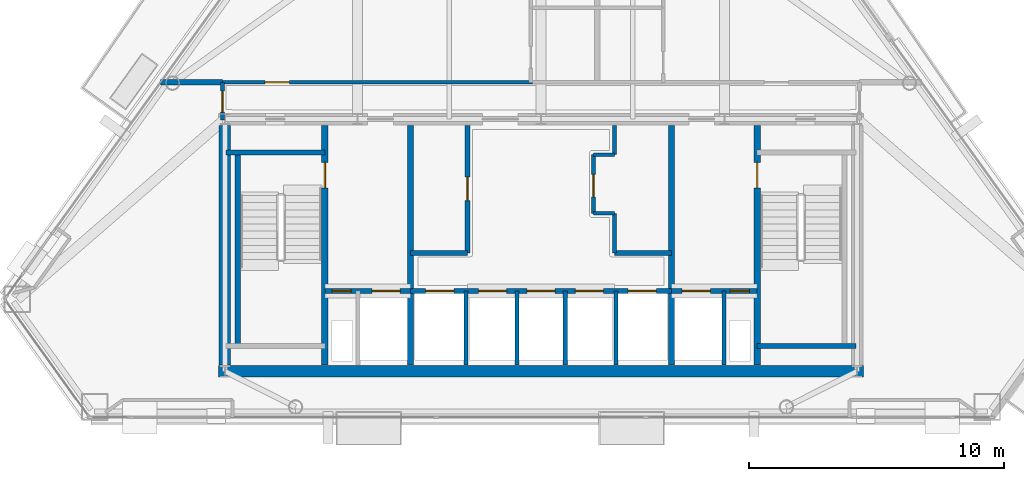
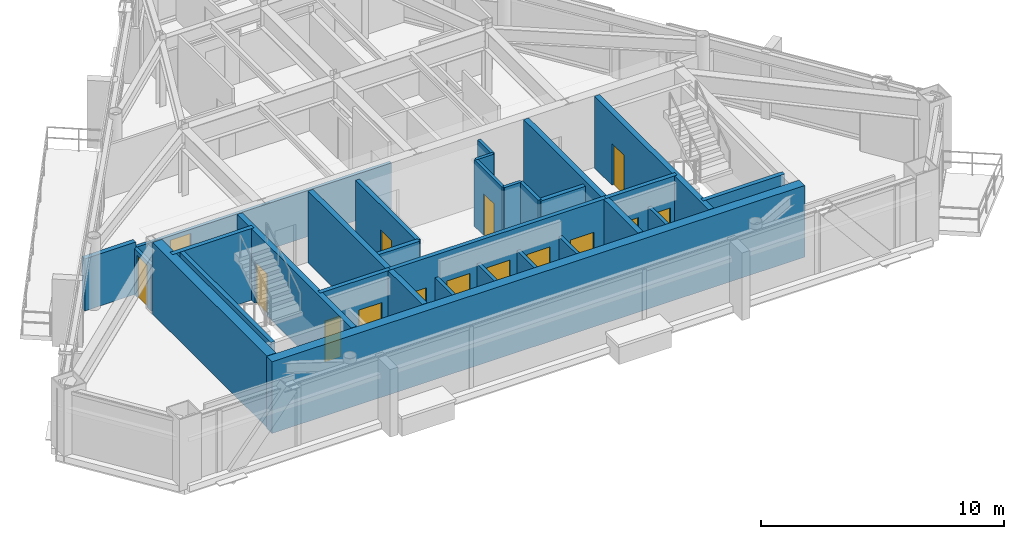
# One storey, part 7 of 11: 28 walls, 15 doors, 15 openings.
"""IFC4 building model written with IfcOpenShell, lengths in metres."""

from ifc_helpers import new_model, si_unit, direction, frame, frame_2d, origin, place, context, subcontext, project, spatial, rectangle, extrude, material, layer, layer_set, type_object, element, fill, save


model = new_model("IFC4")

# Units and contexts
model_context = context("Model", 3, precision=1e-05, world=origin(), true_north=direction((0.0, 1.0)))
body_context = subcontext(model_context, "Body", "Model", "MODEL_VIEW")
ifc_project = project(units=[si_unit("LENGTHUNIT", "METRE"), si_unit("AREAUNIT", "SQUARE_METRE"), si_unit("VOLUMEUNIT", "CUBIC_METRE"), si_unit("PLANEANGLEUNIT", "RADIAN"), si_unit("MASSUNIT", "GRAM", prefix="KILO")], contexts=[model_context])

# Site, building, storey
site_placement = place(None, origin())
site = spatial("IfcSite", under=ifc_project, at=site_placement, CompositionType="ELEMENT")
building_placement = place(site_placement, origin())
building = spatial("IfcBuilding", under=site, at=building_placement, Name="Talgorran Terracotta Tower", CompositionType="ELEMENT")
storey_placement = place(building_placement, frame((0.0, 0.0, 207.300048828125)))
storey = spatial("IfcBuildingStorey", under=building, at=storey_placement, Name="L54", CompositionType="ELEMENT", Elevation=207.300048828125)

# Walls
ifc_material_1 = material(Name="Concrete C50/60", Category="concrete")
ifc_layer_1 = layer(ifc_material_1, 0.199951171875, Name="WT_CORE_200")
ifc_layer_set_1 = layer_set([ifc_layer_1], Name="Concrete C50/60")
wall_type_1 = type_object("IfcWallType", Name="WT_CORE_200", PredefinedType="SOLIDWALL", material=ifc_layer_set_1)
wall_1_placement = place(storey_placement, frame((-12.35009765625, -5.52001953125, 0.0), z_axis=(0.0, 0.0, 1.0), x_axis=(1.0, 0.0, 0.0)))
element("IfcWall", 1, at=wall_1_placement, inside=storey, type_object=wall_type_1, Name="WL-L54-CW-ST1-N", PredefinedType="SOLIDWALL", context=body_context, shape_type="SweptSolid", body=[
    extrude(rectangle(XDim=3.8701171875, YDim=0.199951171875, at=frame_2d((1.93505859375, 0.0))), origin(), (0.0, 0.0, 1.0), 3.599853515625),
])
wall_2_placement = place(storey_placement, frame((-11.89990234375, -13.10009765625, 0.0), z_axis=(0.0, 0.0, 1.0), x_axis=(0.0, 1.0, 0.0)))
element("IfcWall", 2, at=wall_2_placement, inside=storey, type_object=wall_type_1, Name="WL-L54-CW-ST1-W", PredefinedType="SOLIDWALL", context=body_context, shape_type="SweptSolid", body=[
    extrude(rectangle(XDim=7.580078125, YDim=0.199951171875, at=frame_2d((3.7900390625, 0.0))), origin(), (0.0, 0.0, 1.0), 3.599853515625),
])
wall_3_placement = place(storey_placement, frame((8.47998046875, -13.10009765625, 0.0), z_axis=(0.0, 0.0, 1.0), x_axis=(1.0, 0.0, 0.0)))
element("IfcWall", 3, at=wall_3_placement, inside=storey, type_object=wall_type_1, Name="WL-L54-CW-ST2-S", PredefinedType="SOLIDWALL", context=body_context, shape_type="SweptSolid", body=[
    extrude(rectangle(XDim=3.8701171875, YDim=0.199951171875, at=frame_2d((1.93505859375, 0.0))), origin(), (0.0, 0.0, 1.0), 3.599853515625),
])

# Wall, openings, doors
wall_4_placement = place(storey_placement, frame((-8.47998046875, -10.949951171875, 0.0), z_axis=(0.0, 0.0, 1.0), x_axis=(1.0, 0.0, 0.0)))
wall_4 = element("IfcWall", 4, at=wall_4_placement, inside=storey, type_object=wall_type_1, Name="WL-L54-CW-H-SBW", PredefinedType="SOLIDWALL", context=body_context, shape_type="SweptSolid", body=[
    extrude(rectangle(XDim=3.35986328125, YDim=0.199951171875, at=frame_2d((1.679931640625, 0.0))), origin(), (0.0, 0.0, 1.0), 3.599853515625),
])
opening_1_placement = place(wall_4_placement, frame((0.280029296875, 0.0, 0.0)))
opening_1 = element("IfcOpeningElement", 5, at=opening_1_placement, cuts=wall_4, Name="Opening DR-RSW", PredefinedType="OPENING", context=body_context, shape_type="SweptSolid", body=[
    extrude(rectangle(XDim=0.756, YDim=2.054048828125, at=frame_2d((0.375, 1.027099609375))), frame((0.0, 0.10986328125, 0.0), z_axis=(0.0, -1.0, 0.0), x_axis=(1.0, 0.0, 0.0)), (0.0, 0.0, 1.0), 0.219970703125),
])
opening_2_placement = place(wall_4_placement, frame((1.85009765625, 0.0, 0.0)))
opening_2 = element("IfcOpeningElement", 6, at=opening_2_placement, cuts=wall_4, Name="Opening LD-FFL1", PredefinedType="OPENING", context=body_context, shape_type="SweptSolid", body=[
    extrude(rectangle(XDim=1.10609765625, YDim=2.10409765625, at=frame_2d((0.550048828125, 1.052001953125))), frame((0.0, 0.10986328125, 0.0), z_axis=(0.0, -1.0, 0.0), x_axis=(1.0, 0.0, 0.0)), (0.0, 0.0, 1.0), 0.219970703125),
])
ifc_material_2 = material(Name="Brushed Stainless Steel Grade 304", Category="steel")
door_type_1 = type_object("IfcDoorType", Name="DT_LIFT_LD1100", OperationType="DOUBLE_DOOR_SLIDING", PredefinedType="DOOR", material=ifc_material_2)
door_1_placement = place(opening_2_placement, origin())
door_1 = element("IfcDoor", 7, at=door_1_placement, inside=storey, type_object=door_type_1, Name="L54 Lift Landing Door LD-FFL1", OperationType="DOUBLE_DOOR_SLIDING", OverallHeight=2.10009765625, OverallWidth=1.10009765625, PredefinedType="DOOR", context=body_context, shape_type="SweptSolid", body=[
    extrude(rectangle(XDim=1.10009765625, YDim=2.10009765625, at=frame_2d((0.550048828125, 1.050048828125))), frame((0.0, 0.02490234375, 0.0), z_axis=(0.0, -1.0, 0.0), x_axis=(1.0, 0.0, 0.0)), (0.0, 0.0, 1.0), 0.050048828125),
])
fill(opening_2, door_1)
ifc_material_3 = material(Name="Fire-Rated Pressed Steel", Category="steel")
door_type_2 = type_object("IfcDoorType", Name="DT_RISER_750", OperationType="NOTDEFINED", PredefinedType="DOOR", material=ifc_material_3)
door_2_placement = place(opening_1_placement, origin())
door_2 = element("IfcDoor", 8, at=door_2_placement, inside=storey, type_object=door_type_2, Name="DR-RSW", OperationType="SINGLE_SWING_LEFT", OverallHeight=2.050048828125, OverallWidth=0.75, PredefinedType="DOOR", context=body_context, shape_type="SweptSolid", body=[
    extrude(rectangle(XDim=0.75, YDim=2.050048828125, at=frame_2d((0.375, 1.02490234375))), frame((0.0, 0.02490234375, 0.0), z_axis=(0.0, -1.0, 0.0), x_axis=(1.0, 0.0, 0.0)), (0.0, 0.0, 1.0), 0.050048828125),
])
fill(opening_1, door_2)

wall_5_placement = place(storey_placement, frame((-5.1201171875, -10.949951171875, 0.0), z_axis=(0.0, 0.0, 1.0), x_axis=(1.0, 0.0, 0.0)))
wall_5 = element("IfcWall", 9, at=wall_5_placement, inside=storey, type_object=wall_type_1, Name="WL-L54-CW-H-SBC", PredefinedType="SOLIDWALL", context=body_context, shape_type="SweptSolid", body=[
    extrude(rectangle(XDim=10.240234375, YDim=0.199951171875, at=frame_2d((5.1201171875, 0.0))), origin(), (0.0, 0.0, 1.0), 3.599853515625),
])
opening_3_placement = place(wall_5_placement, frame((0.60009765625, 0.0, 0.0)))
opening_3 = element("IfcOpeningElement", 10, at=opening_3_placement, cuts=wall_5, Name="Opening LD-OB1", PredefinedType="OPENING", context=body_context, shape_type="SweptSolid", body=[
    extrude(rectangle(XDim=1.10609765625, YDim=2.10409765625, at=frame_2d((0.550048828125, 1.052001953125))), frame((0.0, 0.10986328125, 0.0), z_axis=(0.0, -1.0, 0.0), x_axis=(1.0, 0.0, 0.0)), (0.0, 0.0, 1.0), 0.219970703125),
])
opening_4_placement = place(wall_5_placement, frame((2.669921875, 0.0, 0.0)))
opening_4 = element("IfcOpeningElement", 11, at=opening_4_placement, cuts=wall_5, Name="Opening LD-PLH1", PredefinedType="OPENING", context=body_context, shape_type="SweptSolid", body=[
    extrude(rectangle(XDim=1.10609765625, YDim=2.10409765625, at=frame_2d((0.550048828125, 1.052001953125))), frame((0.0, 0.10986328125, 0.0), z_axis=(0.0, -1.0, 0.0), x_axis=(1.0, 0.0, 0.0)), (0.0, 0.0, 1.0), 0.219970703125),
])
opening_5_placement = place(wall_5_placement, frame((4.570068359375, 0.0, 0.0)))
opening_5 = element("IfcOpeningElement", 12, at=opening_5_placement, cuts=wall_5, Name="Opening LD-PLH2", PredefinedType="OPENING", context=body_context, shape_type="SweptSolid", body=[
    extrude(rectangle(XDim=1.10609765625, YDim=2.10409765625, at=frame_2d((0.550048828125, 1.052001953125))), frame((0.0, 0.10986328125, 0.0), z_axis=(0.0, -1.0, 0.0), x_axis=(1.0, 0.0, 0.0)), (0.0, 0.0, 1.0), 0.219970703125),
])
opening_6_placement = place(wall_5_placement, frame((6.469970703125, 0.0, 0.0)))
opening_6 = element("IfcOpeningElement", 13, at=opening_6_placement, cuts=wall_5, Name="Opening LD-PLH3", PredefinedType="OPENING", context=body_context, shape_type="SweptSolid", body=[
    extrude(rectangle(XDim=1.10609765625, YDim=2.10409765625, at=frame_2d((0.550048828125, 1.052001953125))), frame((0.0, 0.10986328125, 0.0), z_axis=(0.0, -1.0, 0.0), x_axis=(1.0, 0.0, 0.0)), (0.0, 0.0, 1.0), 0.219970703125),
])
opening_7_placement = place(wall_5_placement, frame((8.5400390625, 0.0, 0.0)))
opening_7 = element("IfcOpeningElement", 14, at=opening_7_placement, cuts=wall_5, Name="Opening LD-SVL1", PredefinedType="OPENING", context=body_context, shape_type="SweptSolid", body=[
    extrude(rectangle(XDim=1.10609765625, YDim=2.10409765625, at=frame_2d((0.550048828125, 1.052001953125))), frame((0.0, 0.10986328125, 0.0), z_axis=(0.0, -1.0, 0.0), x_axis=(1.0, 0.0, 0.0)), (0.0, 0.0, 1.0), 0.219970703125),
])
door_3_placement = place(opening_3_placement, origin())
door_3 = element("IfcDoor", 15, at=door_3_placement, inside=storey, type_object=door_type_1, Name="L54 Lift Landing Door LD-OB1", OperationType="DOUBLE_DOOR_SLIDING", OverallHeight=2.10009765625, OverallWidth=1.10009765625, PredefinedType="DOOR", context=body_context, shape_type="SweptSolid", body=[
    extrude(rectangle(XDim=1.10009765625, YDim=2.10009765625, at=frame_2d((0.550048828125, 1.050048828125))), frame((0.0, 0.02490234375, 0.0), z_axis=(0.0, -1.0, 0.0), x_axis=(1.0, 0.0, 0.0)), (0.0, 0.0, 1.0), 0.050048828125),
])
fill(opening_3, door_3)
door_4_placement = place(opening_4_placement, origin())
door_4 = element("IfcDoor", 16, at=door_4_placement, inside=storey, type_object=door_type_1, Name="L54 Lift Landing Door LD-PLH1", OperationType="DOUBLE_DOOR_SLIDING", OverallHeight=2.10009765625, OverallWidth=1.10009765625, PredefinedType="DOOR", context=body_context, shape_type="SweptSolid", body=[
    extrude(rectangle(XDim=1.10009765625, YDim=2.10009765625, at=frame_2d((0.550048828125, 1.050048828125))), frame((0.0, 0.02490234375, 0.0), z_axis=(0.0, -1.0, 0.0), x_axis=(1.0, 0.0, 0.0)), (0.0, 0.0, 1.0), 0.050048828125),
])
fill(opening_4, door_4)
door_5_placement = place(opening_5_placement, origin())
door_5 = element("IfcDoor", 17, at=door_5_placement, inside=storey, type_object=door_type_1, Name="L54 Lift Landing Door LD-PLH2", OperationType="DOUBLE_DOOR_SLIDING", OverallHeight=2.10009765625, OverallWidth=1.10009765625, PredefinedType="DOOR", context=body_context, shape_type="SweptSolid", body=[
    extrude(rectangle(XDim=1.10009765625, YDim=2.10009765625, at=frame_2d((0.550048828125, 1.050048828125))), frame((0.0, 0.02490234375, 0.0), z_axis=(0.0, -1.0, 0.0), x_axis=(1.0, 0.0, 0.0)), (0.0, 0.0, 1.0), 0.050048828125),
])
fill(opening_5, door_5)
door_6_placement = place(opening_6_placement, origin())
door_6 = element("IfcDoor", 18, at=door_6_placement, inside=storey, type_object=door_type_1, Name="L54 Lift Landing Door LD-PLH3", OperationType="DOUBLE_DOOR_SLIDING", OverallHeight=2.10009765625, OverallWidth=1.10009765625, PredefinedType="DOOR", context=body_context, shape_type="SweptSolid", body=[
    extrude(rectangle(XDim=1.10009765625, YDim=2.10009765625, at=frame_2d((0.550048828125, 1.050048828125))), frame((0.0, 0.02490234375, 0.0), z_axis=(0.0, -1.0, 0.0), x_axis=(1.0, 0.0, 0.0)), (0.0, 0.0, 1.0), 0.050048828125),
])
fill(opening_6, door_6)
door_7_placement = place(opening_7_placement, origin())
door_7 = element("IfcDoor", 19, at=door_7_placement, inside=storey, type_object=door_type_1, Name="L54 Lift Landing Door LD-SVL1", OperationType="DOUBLE_DOOR_SLIDING", OverallHeight=2.10009765625, OverallWidth=1.10009765625, PredefinedType="DOOR", context=body_context, shape_type="SweptSolid", body=[
    extrude(rectangle(XDim=1.10009765625, YDim=2.10009765625, at=frame_2d((0.550048828125, 1.050048828125))), frame((0.0, 0.02490234375, 0.0), z_axis=(0.0, -1.0, 0.0), x_axis=(1.0, 0.0, 0.0)), (0.0, 0.0, 1.0), 0.050048828125),
])
fill(opening_7, door_7)

wall_6_placement = place(storey_placement, frame((5.1201171875, -10.949951171875, 0.0), z_axis=(0.0, 0.0, 1.0), x_axis=(1.0, 0.0, 0.0)))
wall_6 = element("IfcWall", 20, at=wall_6_placement, inside=storey, type_object=wall_type_1, Name="WL-L54-CW-H-SBE", PredefinedType="SOLIDWALL", context=body_context, shape_type="SweptSolid", body=[
    extrude(rectangle(XDim=3.35986328125, YDim=0.199951171875, at=frame_2d((1.679931640625, 0.0))), origin(), (0.0, 0.0, 1.0), 3.599853515625),
])
opening_8_placement = place(wall_6_placement, frame((0.419921875, 0.0, 0.0)))
opening_8 = element("IfcOpeningElement", 21, at=opening_8_placement, cuts=wall_6, Name="Opening LD-FFL2", PredefinedType="OPENING", context=body_context, shape_type="SweptSolid", body=[
    extrude(rectangle(XDim=1.10609765625, YDim=2.10409765625, at=frame_2d((0.550048828125, 1.052001953125))), frame((0.0, 0.10986328125, 0.0), z_axis=(0.0, -1.0, 0.0), x_axis=(1.0, 0.0, 0.0)), (0.0, 0.0, 1.0), 0.219970703125),
])
opening_9_placement = place(wall_6_placement, frame((2.300048828125, 0.0, 0.0)))
opening_9 = element("IfcOpeningElement", 22, at=opening_9_placement, cuts=wall_6, Name="Opening DR-RSE", PredefinedType="OPENING", context=body_context, shape_type="SweptSolid", body=[
    extrude(rectangle(XDim=0.756, YDim=2.054048828125, at=frame_2d((0.375, 1.027099609375))), frame((0.0, 0.10986328125, 0.0), z_axis=(0.0, -1.0, 0.0), x_axis=(1.0, 0.0, 0.0)), (0.0, 0.0, 1.0), 0.219970703125),
])
door_8_placement = place(opening_8_placement, origin())
door_8 = element("IfcDoor", 23, at=door_8_placement, inside=storey, type_object=door_type_1, Name="L54 Lift Landing Door LD-FFL2", OperationType="DOUBLE_DOOR_SLIDING", OverallHeight=2.10009765625, OverallWidth=1.10009765625, PredefinedType="DOOR", context=body_context, shape_type="SweptSolid", body=[
    extrude(rectangle(XDim=1.10009765625, YDim=2.10009765625, at=frame_2d((0.550048828125, 1.050048828125))), frame((0.0, 0.02490234375, 0.0), z_axis=(0.0, -1.0, 0.0), x_axis=(1.0, 0.0, 0.0)), (0.0, 0.0, 1.0), 0.050048828125),
])
fill(opening_8, door_8)
door_9_placement = place(opening_9_placement, origin())
door_9 = element("IfcDoor", 24, at=door_9_placement, inside=storey, type_object=door_type_2, Name="DR-RSE", OperationType="SINGLE_SWING_RIGHT", OverallHeight=2.050048828125, OverallWidth=0.75, PredefinedType="DOOR", context=body_context, shape_type="SweptSolid", body=[
    extrude(rectangle(XDim=0.75, YDim=2.050048828125, at=frame_2d((0.375, 1.02490234375))), frame((0.0, 0.02490234375, 0.0), z_axis=(0.0, -1.0, 0.0), x_axis=(1.0, 0.0, 0.0)), (0.0, 0.0, 1.0), 0.050048828125),
])
fill(opening_9, door_9)

# Wall, opening, door
wall_7_placement = place(storey_placement, frame((-2.8798828125, -9.449951171875, 0.0), z_axis=(0.0, 0.0, 1.0), x_axis=(0.0, 1.0, 0.0)))
wall_7 = element("IfcWall", 25, at=wall_7_placement, inside=storey, type_object=wall_type_1, Name="WL-L54-CW-V-W3", PredefinedType="SOLIDWALL", context=body_context, shape_type="SweptSolid", body=[
    extrude(rectangle(XDim=5.0, YDim=0.199951171875, at=frame_2d((2.5, 0.0))), origin(), (0.0, 0.0, 1.0), 3.344970703125),
])
opening_10_placement = place(wall_7_placement, frame((2.050048828125, 0.0, 0.0)))
opening_10 = element("IfcOpeningElement", 26, at=opening_10_placement, cuts=wall_7, Name="Opening DR-FRPLL-A", PredefinedType="OPENING", context=body_context, shape_type="SweptSolid", body=[
    extrude(rectangle(XDim=0.925921875, YDim=2.10409765625, at=frame_2d((0.4599609375, 1.052001953125))), frame((0.0, 0.10986328125, 0.0), z_axis=(0.0, -1.0, 0.0), x_axis=(1.0, 0.0, 0.0)), (0.0, 0.0, 1.0), 0.219970703125),
])
ifc_material_4 = material(Name="Solid-Core Painted Timber", Category="wood")
door_type_3 = type_object("IfcDoorType", Name="DT_INT_920", OperationType="NOTDEFINED", PredefinedType="DOOR", material=ifc_material_4)
door_10_placement = place(opening_10_placement, origin())
door_10 = element("IfcDoor", 27, at=door_10_placement, inside=storey, type_object=door_type_3, Name="DR-FRPLL-A", OperationType="SINGLE_SWING_LEFT", OverallHeight=2.10009765625, OverallWidth=0.919921875, PredefinedType="DOOR", context=body_context, shape_type="SweptSolid", body=[
    extrude(rectangle(XDim=0.919921875, YDim=2.10009765625, at=frame_2d((0.4599609375, 1.050048828125))), frame((0.0, 0.02490234375, 0.0), z_axis=(0.0, -1.0, 0.0), x_axis=(1.0, 0.0, 0.0)), (0.0, 0.0, 1.0), 0.050048828125),
])
fill(opening_10, door_10)

# Walls
for number, where, z_axis, x_axis, name in (
    (28, (-5.1201171875, -9.449951171875, 0.0), (0.0, 0.0, 1.0), (1.0, 0.0, 0.0), "WL-L54-CW-H-W4"),
    (29, (2.8798828125, -9.449951171875, 0.0), (0.0, 0.0, 1.0), (1.0, 0.0, 0.0), "WL-L54-CW-H-E4"),
):
    element("IfcWall", number, at=place(storey_placement, frame(where, z_axis=z_axis, x_axis=x_axis)), inside=storey, type_object=wall_type_1, Name=name, PredefinedType="SOLIDWALL", context=body_context, shape_type="SweptSolid", body=[
        extrude(rectangle(XDim=2.240234375, YDim=0.199951171875, at=frame_2d((1.1201171875, 0.0))), origin(), (0.0, 0.0, 1.0), 3.344970703125),
    ])

# Wall, opening, door
ifc_layer_2 = layer(ifc_material_1, 0.25, Name="WT_CORE_250")
ifc_layer_set_2 = layer_set([ifc_layer_2], Name="Concrete C50/60")
wall_type_2 = type_object("IfcWallType", Name="WT_CORE_250", PredefinedType="SHEAR", material=ifc_layer_set_2)
wall_8_placement = place(storey_placement, frame((-8.47998046875, -13.85009765625, 0.0), z_axis=(0.0, 0.0, 1.0), x_axis=(0.0, 1.0, 0.0)))
wall_8 = element("IfcWall", 30, at=wall_8_placement, inside=storey, type_object=wall_type_2, Name="WL-L54-CW-V-W1", PredefinedType="SHEAR", context=body_context, shape_type="SweptSolid", body=[
    extrude(rectangle(XDim=9.400146484375, YDim=0.25, at=frame_2d((4.7001953125, 0.0))), origin(), (0.0, 0.0, 1.0), 3.599853515625),
])
opening_11_placement = place(wall_8_placement, frame((6.949951171875, 0.0, 0.0)))
opening_11 = element("IfcOpeningElement", 31, at=opening_11_placement, cuts=wall_8, Name="Opening DR-ST01", PredefinedType="OPENING", context=body_context, shape_type="SweptSolid", body=[
    extrude(rectangle(XDim=1.006, YDim=2.10409765625, at=frame_2d((0.5, 1.052001953125))), frame((0.0, 0.135009765625, 0.0), z_axis=(0.0, -1.0, 0.0), x_axis=(1.0, 0.0, 0.0)), (0.0, 0.0, 1.0), 0.27001953125),
])
door_type_4 = type_object("IfcDoorType", Name="DT_FIRE_1000", OperationType="NOTDEFINED", PredefinedType="DOOR", material=ifc_material_3)
door_11_placement = place(opening_11_placement, origin())
door_11 = element("IfcDoor", 32, at=door_11_placement, inside=storey, type_object=door_type_4, Name="DR-ST01", OperationType="SINGLE_SWING_LEFT", OverallHeight=2.10009765625, OverallWidth=1.0, PredefinedType="DOOR", context=body_context, shape_type="SweptSolid", body=[
    extrude(rectangle(XDim=1.0, YDim=2.10009765625, at=frame_2d((0.5, 1.050048828125))), frame((0.0, 0.02490234375, 0.0), z_axis=(0.0, -1.0, 0.0), x_axis=(1.0, 0.0, 0.0)), (0.0, 0.0, 1.0), 0.050048828125),
])
fill(opening_11, door_11)

wall_9_placement = place(storey_placement, frame((8.47998046875, -13.85009765625, 0.0), z_axis=(0.0, 0.0, 1.0), x_axis=(0.0, 1.0, 0.0)))
wall_9 = element("IfcWall", 33, at=wall_9_placement, inside=storey, type_object=wall_type_2, Name="WL-L54-CW-V-E1", PredefinedType="SHEAR", context=body_context, shape_type="SweptSolid", body=[
    extrude(rectangle(XDim=9.400146484375, YDim=0.25, at=frame_2d((4.7001953125, 0.0))), origin(), (0.0, 0.0, 1.0), 3.599853515625),
])
opening_12_placement = place(wall_9_placement, frame((6.949951171875, 0.0, 0.0)))
opening_12 = element("IfcOpeningElement", 34, at=opening_12_placement, cuts=wall_9, Name="Opening DR-ST02", PredefinedType="OPENING", context=body_context, shape_type="SweptSolid", body=[
    extrude(rectangle(XDim=1.006, YDim=2.10409765625, at=frame_2d((0.5, 1.052001953125))), frame((0.0, 0.135009765625, 0.0), z_axis=(0.0, -1.0, 0.0), x_axis=(1.0, 0.0, 0.0)), (0.0, 0.0, 1.0), 0.27001953125),
])
door_12_placement = place(opening_12_placement, origin())
door_12 = element("IfcDoor", 35, at=door_12_placement, inside=storey, type_object=door_type_4, Name="DR-ST02", OperationType="SINGLE_SWING_RIGHT", OverallHeight=2.10009765625, OverallWidth=1.0, PredefinedType="DOOR", context=body_context, shape_type="SweptSolid", body=[
    extrude(rectangle(XDim=1.0, YDim=2.10009765625, at=frame_2d((0.5, 1.050048828125))), frame((0.0, 0.02490234375, 0.0), z_axis=(0.0, -1.0, 0.0), x_axis=(1.0, 0.0, 0.0)), (0.0, 0.0, 1.0), 0.050048828125),
])
fill(opening_12, door_12)

# Walls
for number, where, z_axis, x_axis, name in (
    (36, (-5.1201171875, -13.85009765625, 0.0), (0.0, 0.0, 1.0), (0.0, 1.0, 0.0), "WL-L54-CW-V-W2"),
    (37, (5.1201171875, -13.85009765625, 0.0), (0.0, 0.0, 1.0), (0.0, 1.0, 0.0), "WL-L54-CW-V-E2"),
):
    element("IfcWall", number, at=place(storey_placement, frame(where, z_axis=z_axis, x_axis=x_axis)), inside=storey, type_object=wall_type_2, Name=name, PredefinedType="SHEAR", context=body_context, shape_type="SweptSolid", body=[
        extrude(rectangle(XDim=9.400146484375, YDim=0.25, at=frame_2d((4.7001953125, 0.0))), origin(), (0.0, 0.0, 1.0), 3.599853515625),
    ])
ifc_material_5 = material(Name="Concrete C65/80", Category="concrete")
ifc_layer_3 = layer(ifc_material_5, 0.449951171875, Name="WT_CORE_EXT")
ifc_layer_set_3 = layer_set([ifc_layer_3], Name="Concrete C65/80")
wall_type_3 = type_object("IfcWallType", Name="WT_CORE_EXT", PredefinedType="SHEAR", material=ifc_layer_set_3)
wall_10_placement = place(storey_placement, frame((-12.64990234375, -14.10009765625, 0.0), z_axis=(0.0, 0.0, 1.0), x_axis=(1.0, 0.0, 0.0)))
element("IfcWall", 38, at=wall_10_placement, inside=storey, type_object=wall_type_3, Name="WL-L54-CW-OUT-S", PredefinedType="SHEAR", context=body_context, shape_type="SweptSolid", body=[
    extrude(rectangle(XDim=25.2998046875, YDim=0.449951171875, at=frame_2d((12.64990234375, 0.0))), origin(), (0.0, 0.0, 1.0), 3.599853515625),
])
wall_11_placement = place(storey_placement, frame((-12.39990234375, -13.85009765625, 0.0), z_axis=(0.0, 0.0, 1.0), x_axis=(0.0, 1.0, 0.0)))
element("IfcWall", 39, at=wall_11_placement, inside=storey, type_object=wall_type_3, Name="WL-L54-CW-OUT-W", PredefinedType="SHEAR", context=body_context, shape_type="SweptSolid", body=[
    extrude(rectangle(XDim=9.400146484375, YDim=0.449951171875, at=frame_2d((4.7001953125, 0.0))), origin(), (0.0, 0.0, 1.0), 3.599853515625),
])
ifc_material_6 = material(Name="Fire-Rated Steel Stud Plasterboard", Category="steel")
ifc_layer_4 = layer(ifc_material_6, 0.14990234375, Name="WT_FIRE_150")
ifc_layer_set_4 = layer_set([ifc_layer_4], Name="Fire-Rated Steel Stud Plasterboard")
wall_type_4 = type_object("IfcWallType", Name="WT_FIRE_150", PredefinedType="PARTITIONING", material=ifc_layer_set_4)
wall_12_placement = place(storey_placement, frame((2.8798828125, -9.449951171875, 0.0), z_axis=(0.0, 0.0, 1.0), x_axis=(0.0, 1.0, 0.0)))
element("IfcWall", 40, at=wall_12_placement, inside=storey, type_object=wall_type_4, Name="WL-L54-CW-V-E3A", PredefinedType="PARTITIONING", context=body_context, shape_type="SweptSolid", body=[
    extrude(rectangle(XDim=1.550048828125, YDim=0.14990234375, at=frame_2d((0.77490234375, 0.0))), origin(), (0.0, 0.0, 1.0), 3.344970703125),
])
wall_13_placement = place(storey_placement, frame((2.06005859375, -7.89990234375, 0.0), z_axis=(0.0, 0.0, 1.0), x_axis=(1.0, 0.0, 0.0)))
element("IfcWall", 41, at=wall_13_placement, inside=storey, type_object=wall_type_4, Name="WL-L54-CW-H-E3B", PredefinedType="PARTITIONING", context=body_context, shape_type="SweptSolid", body=[
    extrude(rectangle(XDim=0.81982421875, YDim=0.14990234375, at=frame_2d((0.409912109375, 0.0))), origin(), (0.0, 0.0, 1.0), 3.344970703125),
])

# Wall, opening, door
wall_14_placement = place(storey_placement, frame((2.06005859375, -7.89990234375, 0.0), z_axis=(0.0, 0.0, 1.0), x_axis=(0.0, 1.0, 0.0)))
wall_14 = element("IfcWall", 42, at=wall_14_placement, inside=storey, type_object=wall_type_4, Name="WL-L54-CW-V-E3C", PredefinedType="PARTITIONING", context=body_context, shape_type="SweptSolid", body=[
    extrude(rectangle(XDim=2.2998046875, YDim=0.14990234375, at=frame_2d((1.14990234375, 0.0))), origin(), (0.0, 0.0, 1.0), 3.344970703125),
])
opening_13_placement = place(wall_14_placement, frame((0.64990234375, 0.0, 0.0)))
opening_13 = element("IfcOpeningElement", 43, at=opening_13_placement, cuts=wall_14, Name="Opening DR-FRPLM-B", PredefinedType="OPENING", context=body_context, shape_type="SweptSolid", body=[
    extrude(rectangle(XDim=0.8858828125, YDim=2.10409765625, at=frame_2d((0.43994140625, 1.052001953125))), frame((0.0, 0.0849609375, 0.0), z_axis=(0.0, -1.0, 0.0), x_axis=(1.0, 0.0, 0.0)), (0.0, 0.0, 1.0), 0.169921875),
])
door_type_5 = type_object("IfcDoorType", Name="DT_INT_880", OperationType="NOTDEFINED", PredefinedType="DOOR", material=ifc_material_4)
door_13_placement = place(opening_13_placement, origin())
door_13 = element("IfcDoor", 44, at=door_13_placement, inside=storey, type_object=door_type_5, Name="DR-FRPLM-B", OperationType="SINGLE_SWING_RIGHT", OverallHeight=2.10009765625, OverallWidth=0.8798828125, PredefinedType="DOOR", context=body_context, shape_type="SweptSolid", body=[
    extrude(rectangle(XDim=0.8798828125, YDim=2.10009765625, at=frame_2d((0.43994140625, 1.050048828125))), frame((0.0, 0.02490234375, 0.0), z_axis=(0.0, -1.0, 0.0), x_axis=(1.0, 0.0, 0.0)), (0.0, 0.0, 1.0), 0.050048828125),
])
fill(opening_13, door_13)

# Walls
wall_15_placement = place(storey_placement, frame((2.06005859375, -5.60009765625, 0.0), z_axis=(0.0, 0.0, 1.0), x_axis=(1.0, 0.0, 0.0)))
element("IfcWall", 45, at=wall_15_placement, inside=storey, type_object=wall_type_4, Name="WL-L54-CW-H-E3D", PredefinedType="PARTITIONING", context=body_context, shape_type="SweptSolid", body=[
    extrude(rectangle(XDim=0.81982421875, YDim=0.14990234375, at=frame_2d((0.409912109375, 0.0))), origin(), (0.0, 0.0, 1.0), 3.344970703125),
])
wall_16_placement = place(storey_placement, frame((2.8798828125, -5.60009765625, 0.0), z_axis=(0.0, 0.0, 1.0), x_axis=(0.0, 1.0, 0.0)))
element("IfcWall", 46, at=wall_16_placement, inside=storey, type_object=wall_type_4, Name="WL-L54-CW-V-E3E", PredefinedType="PARTITIONING", context=body_context, shape_type="SweptSolid", body=[
    extrude(rectangle(XDim=1.150146484375, YDim=0.14990234375, at=frame_2d((0.5751953125, 0.0))), origin(), (0.0, 0.0, 1.0), 3.344970703125),
])

# Wall, opening, door
wall_17_placement = place(storey_placement, frame((-12.5, -2.760009765625, 0.0), z_axis=(0.0, 0.0, 1.0), x_axis=(1.0, 0.0, 0.0)))
wall_17 = element("IfcWall", 47, at=wall_17_placement, inside=storey, type_object=wall_type_4, Name="WL-L54-W-L54-R04", PredefinedType="PARTITIONING", context=body_context, shape_type="SweptSolid", body=[
    extrude(rectangle(XDim=12.159912109375, YDim=0.14990234375, at=frame_2d((6.080078125, 0.0))), origin(), (0.0, 0.0, 1.0), 2.320068359375),
])
opening_14_placement = place(wall_17_placement, frame((1.67578125, 0.0, 0.0)))
opening_14 = element("IfcOpeningElement", 48, at=opening_14_placement, cuts=wall_17, Name="Opening DR-L54-R05", PredefinedType="OPENING", context=body_context, shape_type="SweptSolid", body=[
    extrude(rectangle(XDim=0.955951171875, YDim=2.10409765625, at=frame_2d((0.47509765625, 1.052001953125))), frame((0.0, 0.0849609375, 0.0), z_axis=(0.0, -1.0, 0.0), x_axis=(1.0, 0.0, 0.0)), (0.0, 0.0, 1.0), 0.169921875),
])
ifc_material_7 = material(Name="Fire-Rated Timber Core", Category="wood")
door_type_6 = type_object("IfcDoorType", Name="DT_FIRE_950", OperationType="NOTDEFINED", PredefinedType="DOOR", material=ifc_material_7)
door_14_placement = place(opening_14_placement, origin())
door_14 = element("IfcDoor", 49, at=door_14_placement, inside=storey, type_object=door_type_6, Name="DR-L54-R05", OperationType="SINGLE_SWING_LEFT", OverallHeight=2.10009765625, OverallWidth=0.949951171875, PredefinedType="DOOR", context=body_context, shape_type="SweptSolid", body=[
    extrude(rectangle(XDim=0.949951171875, YDim=2.10009765625, at=frame_2d((0.47509765625, 1.050048828125))), frame((0.0, 0.02490234375, 0.0), z_axis=(0.0, -1.0, 0.0), x_axis=(1.0, 0.0, 0.0)), (0.0, 0.0, 1.0), 0.050048828125),
])
fill(opening_14, door_14)

wall_18_placement = place(storey_placement, frame((-12.5, -4.239990234375, 0.0), z_axis=(0.0, 0.0, 1.0), x_axis=(0.0, 1.0, 0.0)))
wall_18 = element("IfcWall", 50, at=wall_18_placement, inside=storey, type_object=wall_type_4, Name="WL-L54-W-L54-R01", PredefinedType="PARTITIONING", context=body_context, shape_type="SweptSolid", body=[
    extrude(rectangle(XDim=1.47998046875, YDim=0.14990234375, at=frame_2d((0.739990234375, 0.0))), origin(), (0.0, 0.0, 1.0), 2.320068359375),
])
opening_15_placement = place(wall_18_placement, frame((0.31494140625, 0.0, 0.0)))
opening_15 = element("IfcOpeningElement", 51, at=opening_15_placement, cuts=wall_18, Name="Opening DR-L54-R01", PredefinedType="OPENING", context=body_context, shape_type="SweptSolid", body=[
    extrude(rectangle(XDim=0.826068359375, YDim=2.10409765625, at=frame_2d((0.41015625, 1.052001953125))), frame((0.0, 0.0849609375, 0.0), z_axis=(0.0, -1.0, 0.0), x_axis=(1.0, 0.0, 0.0)), (0.0, 0.0, 1.0), 0.169921875),
])
ifc_material_8 = material(Name="Moisture-Resistant Solid Timber", Category="wood")
door_type_7 = type_object("IfcDoorType", Name="DT_INT_820", OperationType="NOTDEFINED", PredefinedType="DOOR", material=ifc_material_8)
door_15_placement = place(opening_15_placement, origin())
door_15 = element("IfcDoor", 52, at=door_15_placement, inside=storey, type_object=door_type_7, Name="DR-L54-R01", OperationType="SINGLE_SWING_LEFT", OverallHeight=2.10009765625, OverallWidth=0.820068359375, PredefinedType="DOOR", context=body_context, shape_type="SweptSolid", body=[
    extrude(rectangle(XDim=0.820068359375, YDim=2.10009765625, at=frame_2d((0.41015625, 1.050048828125))), frame((0.0, 0.02490234375, 0.0), z_axis=(0.0, -1.0, 0.0), x_axis=(1.0, 0.0, 0.0)), (0.0, 0.0, 1.0), 0.050048828125),
])
fill(opening_15, door_15)

# Walls
ifc_material_9 = material(Name="Acoustic Masonry and Plasterboard", Category="masonry")
ifc_layer_5 = layer(ifc_material_9, 0.219970703125, Name="WT_PARTY_220")
ifc_layer_set_5 = layer_set([ifc_layer_5], Name="Acoustic Masonry and Plasterboard")
wall_type_5 = type_object("IfcWallType", Name="WT_PARTY_220", PredefinedType="PARTITIONING", material=ifc_layer_set_5)
wall_19_placement = place(storey_placement, frame((-14.926025390625, -2.760009765625, 0.0), z_axis=(0.0, 0.0, 1.0), x_axis=(1.0, 0.0, 0.0)))
element("IfcWall", 53, at=wall_19_placement, inside=storey, type_object=wall_type_5, Name="WL-L54-W-L54-R07", PredefinedType="PARTITIONING", context=body_context, shape_type="SweptSolid", body=[
    extrude(rectangle(XDim=2.426025390625, YDim=0.219970703125, at=frame_2d((1.212890625, 0.0))), origin(), (0.0, 0.0, 1.0), 2.619873046875),
])
ifc_material_10 = material(Name="Fire-Rated Shaftwall")
ifc_layer_6 = layer(ifc_material_10, 0.159912109375, Name="WT_PART_150")
ifc_layer_set_6 = layer_set([ifc_layer_6], Name="Fire-Rated Shaftwall")
wall_type_6 = type_object("IfcWallType", Name="WT_PART_150", PredefinedType="PARTITIONING", material=ifc_layer_set_6)
for number, where, z_axis, x_axis, name in (
    (54, (7.179931640625, -13.85009765625, 0.0), (0.0, 0.0, 1.0), (0.0, 1.0, 0.0), "WL-L54-CW-RSE"),
    (55, (-2.949951171875, -13.85009765625, 0.0), (0.0, 0.0, 1.0), (0.0, 1.0, 0.0), "WL-L54-CW-OB-E"),
    (56, (2.949951171875, -13.85009765625, 0.0), (0.0, 0.0, 1.0), (0.0, 1.0, 0.0), "WL-L54-CW-SV-W"),
    (57, (-0.949951171875, -13.85009765625, 0.0), (0.0, 0.0, 1.0), (0.0, 1.0, 0.0), "WL-L54-CW-PLH-D1"),
    (58, (0.949951171875, -13.85009765625, 0.0), (0.0, 0.0, 1.0), (0.0, 1.0, 0.0), "WL-L54-CW-PLH-D2"),
):
    element("IfcWall", number, at=place(storey_placement, frame(where, z_axis=z_axis, x_axis=x_axis)), inside=storey, type_object=wall_type_6, Name=name, PredefinedType="PARTITIONING", context=body_context, shape_type="SweptSolid", body=[
        extrude(rectangle(XDim=2.900146484375, YDim=0.159912109375, at=frame_2d((1.4501953125, 0.0))), origin(), (0.0, 0.0, 1.0), 2.469970703125),
    ])

save(model, "model.ifc")
